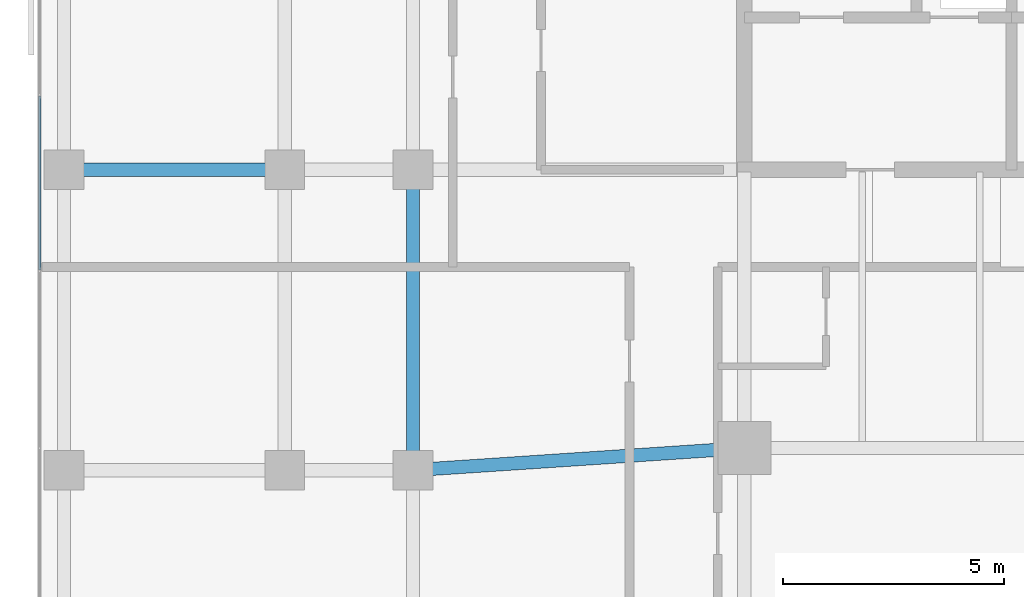
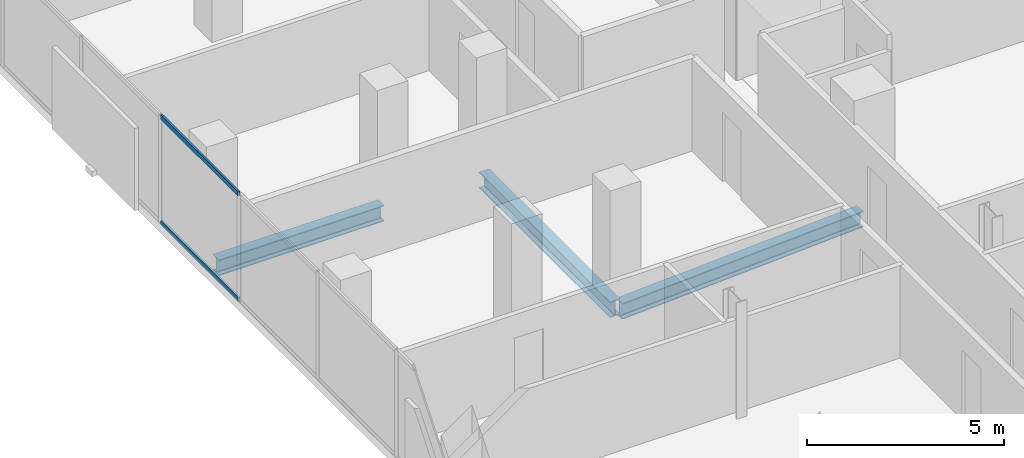
# One storey, part 10 of 33: 3 beams, 2 members, 1 element without a shape of its own.
"""IFC4 building model written with IfcOpenShell, lengths in metres."""

from ifc_helpers import new_model, si_unit, direction, frame, origin, origin_2d, place, context, subcontext, project, spatial, hollow_rectangle, i_section, extrude, material, layer, layer_set, material_profile, profile_set, type_object, element, aggregate, save


model = new_model("IFC4")

# Units and contexts
model_context = context("Model", 3, precision=1e-05, world=origin(), true_north=direction((0.0, 1.0)))
body_context = subcontext(model_context, "Body", "Model", "MODEL_VIEW")
ifc_project = project(units=[si_unit("LENGTHUNIT", "METRE"), si_unit("AREAUNIT", "SQUARE_METRE"), si_unit("VOLUMEUNIT", "CUBIC_METRE"), si_unit("PLANEANGLEUNIT", "RADIAN"), si_unit("MASSUNIT", "GRAM", prefix="KILO")], contexts=[model_context])

# Site, building, storey
site_placement = place(None, origin())
site = spatial("IfcSite", under=ifc_project, at=site_placement, CompositionType="ELEMENT")
building_placement = place(site_placement, origin())
building = spatial("IfcBuilding", under=site, at=building_placement, Name="Catumbela Crestline Tower", CompositionType="ELEMENT")
storey_placement = place(building_placement, frame((0.0, 0.0, 100.8)))
storey = spatial("IfcBuildingStorey", under=building, at=storey_placement, Name="L25", CompositionType="ELEMENT", Elevation=100.8)

# Beams
ifc_material_1 = material(Name="Structural steel S355J2", Category="steel")
ifc_material_profile_1 = material_profile(ifc_material_1, i_section(OverallWidth=0.3, OverallDepth=0.49, WebThickness=0.012, FlangeThickness=0.023, FilletRadius=0.027, at=origin_2d()), Name="HEA 500")
ifc_profile_set_1 = profile_set([ifc_material_profile_1], Name="Structural steel S355J2")
beam_type = type_object("IfcBeamType", Name="BG-HEA500", PredefinedType="BEAM", material=ifc_profile_set_1)
beam_1_placement = place(storey_placement, frame((8.5798, 24.0053, -0.505), z_axis=(0.997784796964, 0.066524423687, 0.0), x_axis=(-0.066524423687, 0.997784796964, 0.0)))
element("IfcBeam", 1, at=beam_1_placement, inside=storey, type_object=beam_type, Name="L25 Beam BM-L25-S03", PredefinedType="BEAM", context=body_context, shape_type="SweptSolid", body=[
    extrude(i_section(OverallWidth=0.3, OverallDepth=0.49, WebThickness=0.012, FlangeThickness=0.023, FilletRadius=0.027, at=origin_2d()), origin(), (0.0, 0.0, 1.0), 7.3567),
])
beam_2_placement = place(storey_placement, frame((0.68, 30.8, -0.505), z_axis=(1.0, 0.0, 0.0), x_axis=(0.0, 1.0, 0.0)))
element("IfcBeam", 2, at=beam_2_placement, inside=storey, type_object=beam_type, Name="L25 Beam BM-L25-M07", PredefinedType="BEAM", context=body_context, shape_type="SweptSolid", body=[
    extrude(i_section(OverallWidth=0.3, OverallDepth=0.49, WebThickness=0.012, FlangeThickness=0.023, FilletRadius=0.027, at=origin_2d()), origin(), (0.0, 0.0, 1.0), 4.84),
])
beam_3_placement = place(storey_placement, frame((8.5, 24.08, -0.505), z_axis=(0.0, 1.0, 0.0), x_axis=(-1.0, 0.0, 0.0)))
element("IfcBeam", 3, at=beam_3_placement, inside=storey, type_object=beam_type, Name="L25 Beam BM-L25-SN26", PredefinedType="BEAM", context=body_context, shape_type="SweptSolid", body=[
    extrude(i_section(OverallWidth=0.3, OverallDepth=0.49, WebThickness=0.012, FlangeThickness=0.023, FilletRadius=0.027, at=origin_2d()), origin(), (0.0, 0.0, 1.0), 6.64),
])

# Curtain wall, members
ifc_material_2 = material(Name="Aluminium alloy AW-6060-T66", Category="aluminium")
ifc_layer = layer(ifc_material_2, 0.18, Name="Aluminium alloy AW-6060-T66")
ifc_layer_set = layer_set([ifc_layer], Name="Aluminium alloy AW-6060-T66")
curtain_wall_type = type_object("IfcCurtainWallType", Name="CWU-Z2", PredefinedType="USERDEFINED", material=ifc_layer_set)
curtain_wall_placement = place(storey_placement, origin())
curtain_wall = element("IfcCurtainWall", 4, at=curtain_wall_placement, inside=storey, type_object=curtain_wall_type, Name="L25 Unitised Curtain Wall CW-L25-E9S1", ObjectType="UNITISED", PredefinedType="USERDEFINED")
ifc_material_profile_2 = material_profile(ifc_material_2, hollow_rectangle(XDim=0.06, YDim=0.14, WallThickness=0.004, at=origin_2d()), Name="ALU 140x60x4")
ifc_profile_set_2 = profile_set([ifc_material_profile_2], Name="Aluminium alloy AW-6060-T66")
member_type = type_object("IfcMemberType", Name="TRN-140X60", PredefinedType="USERDEFINED", material=ifc_profile_set_2)
member_1_placement = place(storey_placement, frame((0.05, 32.4675, 0.03), z_axis=(0.0, -1.0, 0.0), x_axis=(1.0, 0.0, 0.0)))
member_1 = element("IfcMember", 5, at=member_1_placement, type_object=member_type, Name="CWU-Z2 transom 4.1", ObjectType="TRANSOM", PredefinedType="USERDEFINED", context=body_context, shape_type="SweptSolid", body=[
    extrude(hollow_rectangle(XDim=0.06, YDim=0.14, WallThickness=0.004, at=origin_2d()), origin(), (0.0, 0.0, 1.0), 3.935),
])
member_2_placement = place(storey_placement, frame((0.05, 32.4675, 3.3), z_axis=(0.0, -1.0, 0.0), x_axis=(1.0, 0.0, 0.0)))
member_2 = element("IfcMember", 6, at=member_2_placement, type_object=member_type, Name="CWU-Z2 transom 4.2", ObjectType="TRANSOM", PredefinedType="USERDEFINED", context=body_context, shape_type="SweptSolid", body=[
    extrude(hollow_rectangle(XDim=0.06, YDim=0.14, WallThickness=0.004, at=origin_2d()), origin(), (0.0, 0.0, 1.0), 3.935),
])
aggregate(curtain_wall, [member_1, member_2])

save(model, "model.ifc")
